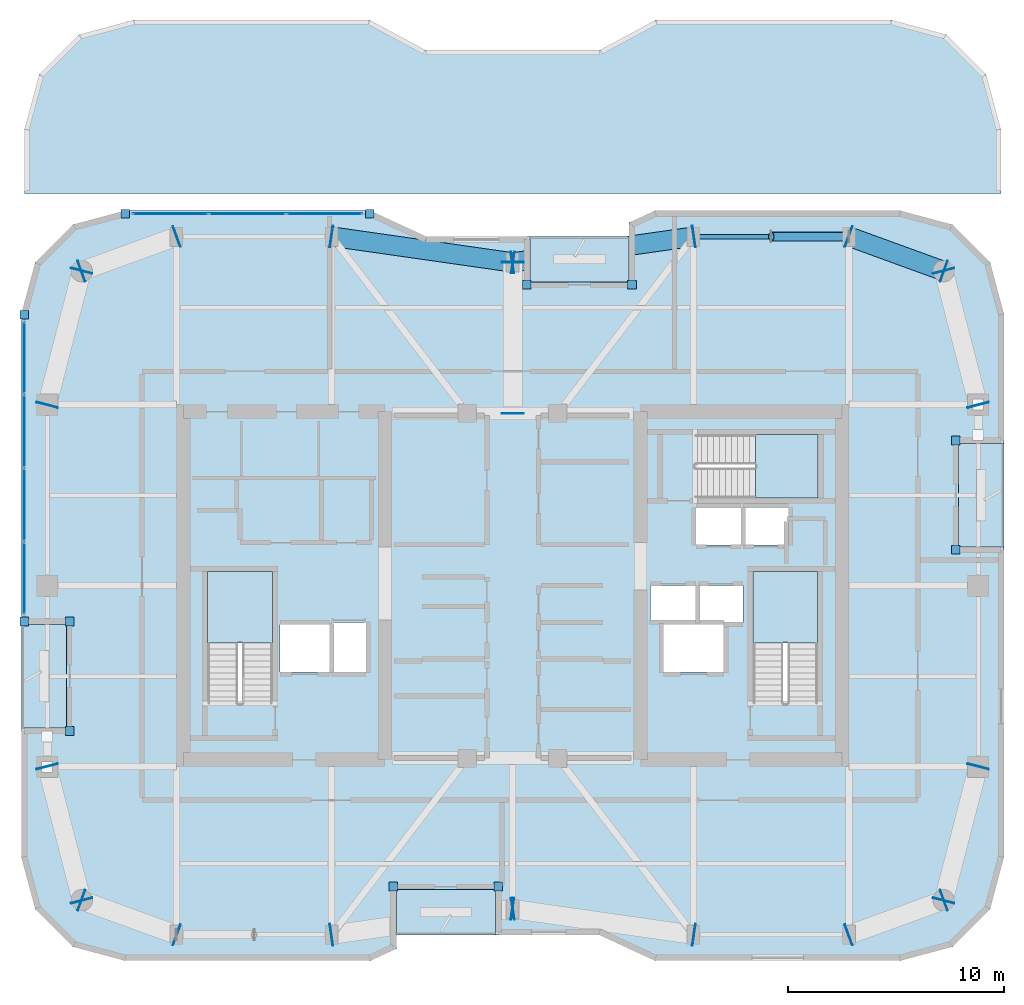
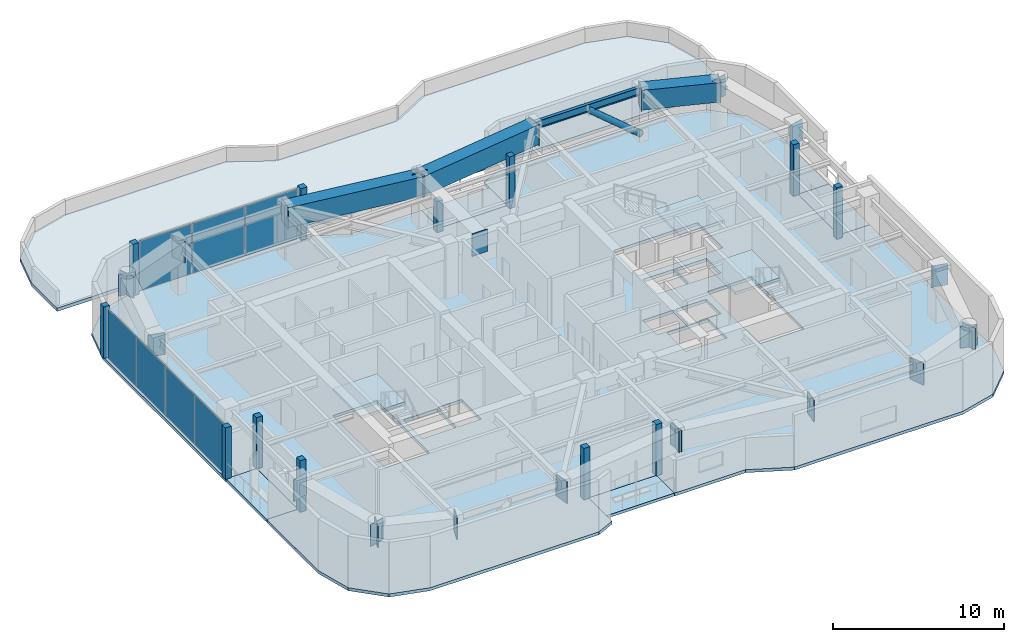
# One storey, part 7 of 16: 45 plates, 9 slabs, 4 beams, 1 member, 5 elements without a shape of their own.
"""IFC4 building model written with IfcOpenShell, lengths in metres."""

from ifc_helpers import new_model, si_unit, direction, frame, origin, origin_2d, place, context, subcontext, project, spatial, polyline, rectangle, hollow_rectangle, hollow_circle, i_section, outline, extrude, material, layer, layer_set, material_profile, profile_set, type_object, element, aggregate, save


model = new_model("IFC4")

# Units and contexts
model_context = context("Model", 3, precision=1e-05, world=origin(), true_north=direction((0.0, 1.0)))
body_context = subcontext(model_context, "Body", "Model", "MODEL_VIEW")
ifc_project = project(units=[si_unit("LENGTHUNIT", "METRE"), si_unit("AREAUNIT", "SQUARE_METRE"), si_unit("VOLUMEUNIT", "CUBIC_METRE"), si_unit("PLANEANGLEUNIT", "RADIAN"), si_unit("MASSUNIT", "GRAM", prefix="KILO")], contexts=[model_context])

# Site, building, storey
site_placement = place(None, origin())
site = spatial("IfcSite", under=ifc_project, at=site_placement, CompositionType="ELEMENT")
building_placement = place(site_placement, origin())
building = spatial("IfcBuilding", under=site, at=building_placement, Name="Kiyonajd Concourse Tower", CompositionType="ELEMENT")
storey_placement = place(building_placement, frame((0.0, 0.0, 255.0)))
storey = spatial("IfcBuildingStorey", under=building, at=storey_placement, Name="L64", CompositionType="ELEMENT", Elevation=255.0)

# Beams
ifc_material_1 = material(Name="Steel ASTM A992 Grade 50", Category="steel")
ifc_material_profile_1 = material_profile(ifc_material_1, i_section(OverallWidth=0.2109375, OverallDepth=0.5390625, WebThickness=0.01171875, FlangeThickness=0.018798828125, at=origin_2d()), Name="W530X109")
ifc_profile_set_1 = profile_set([ifc_material_profile_1], Name="Steel ASTM A992 Grade 50")
beam_type_1 = type_object("IfcBeamType", Name="BM-SPAN-530B", PredefinedType="SPANDREL", material=ifc_profile_set_1)
beam_1_placement = place(storey_placement, frame((63.60009765625, 52.199951171875, 3.410400390625), z_axis=(-1.0, 0.0, 0.0), x_axis=(0.0, -1.0, 0.0)))
element("IfcBeam", 1, at=beam_1_placement, inside=storey, type_object=beam_type_1, Name="L64 Perimeter Bundled Tube Spandrel", PredefinedType="SPANDREL", context=body_context, shape_type="SweptSolid", body=[
    extrude(i_section(OverallWidth=0.2109375, OverallDepth=0.5390625, WebThickness=0.01171875, FlangeThickness=0.018798828125, at=origin_2d()), origin(), (0.0, 0.0, 1.0), 7.2001953125),
])
ifc_material_2 = material(Name="Steel ASTM A572 Grade 50", Category="steel")
ifc_material_profile_2 = material_profile(ifc_material_2, hollow_rectangle(XDim=0.89990234375, YDim=1.39990234375, WallThickness=0.070068359375, at=origin_2d()), Name="BOX-1400x900x70")
ifc_profile_set_2 = profile_set([ifc_material_profile_2], Name="Steel ASTM A572 Grade 50")
beam_type_2 = type_object("IfcBeamType", Name="BM-XFER-1400", PredefinedType="BEAM", material=ifc_profile_set_2)
beam_2_placement = place(storey_placement, frame((68.0, 50.60009765625, 2.97998046875), z_axis=(-0.939801036019, 0.341722127901, 0.0), x_axis=(-0.341722127901, -0.939801036019, 0.0)))
element("IfcBeam", 2, at=beam_2_placement, inside=storey, type_object=beam_type_2, Name="L64 Perimeter Bundled Tube Spandrel", PredefinedType="BEAM", context=body_context, shape_type="SweptSolid", body=[
    extrude(hollow_rectangle(XDim=0.89990234375, YDim=1.39990234375, WallThickness=0.070068359375, at=origin_2d()), origin(), (0.0, 0.0, 1.0), 4.681640625),
])
for number, where, z_axis, x_axis, name in (
    (3, (56.39990234375, 52.199951171875, 2.97998046875), (-0.989950069105, -0.141417328072, 0.0), (0.141417328072, -0.989950069105, 0.0), "L64 Perimeter Bundled Tube Spandrel"),
    (4, (48.0, 51.0, 2.97998046875), (-0.989950069105, 0.141417328072, 0.0), (-0.141417328072, -0.989950069105, 0.0), "L64 Perimeter Bundled Tube Spandrel"),
):
    element("IfcBeam", number, at=place(storey_placement, frame(where, z_axis=z_axis, x_axis=x_axis)), inside=storey, type_object=beam_type_2, Name=name, PredefinedType="BEAM", context=body_context, shape_type="SweptSolid", body=[
        extrude(hollow_rectangle(XDim=0.89990234375, YDim=1.39990234375, WallThickness=0.070068359375, at=origin_2d()), origin(), (0.0, 0.0, 1.0), 8.485107421875),
    ])

# Member
ifc_material_3 = material(Name="Steel ASTM A500 Grade C", Category="steel")
ifc_material_profile_3 = material_profile(ifc_material_3, hollow_circle(Radius=0.202880859375, WallThickness=0.01904296875, at=origin_2d()), Name="CHS-406x19")
ifc_profile_set_3 = profile_set([ifc_material_profile_3], Name="Steel ASTM A500 Grade C")
member_type = type_object("IfcMemberType", Name="MB-PB-HIGH", PredefinedType="BRACE", material=ifc_profile_set_3)
member_placement = place(storey_placement, frame((63.60009765625, 52.199951171875, 0.300048828125), z_axis=(-0.765082043761, 0.0, 0.643932811957), x_axis=(0.0, -1.0, 0.0)))
element("IfcMember", 5, at=member_placement, inside=storey, type_object=member_type, Name="L64 Upper Zone Hollow Tube Brace PBN", PredefinedType="BRACE", context=body_context, shape_type="SweptSolid", body=[
    extrude(hollow_circle(Radius=0.202880859375, WallThickness=0.01904296875, at=origin_2d()), origin(), (0.0, 0.0, 1.0), 4.70556640625),
])

# Plates
ifc_layer_1 = layer(ifc_material_2, 0.031982421875)
ifc_layer_set_1 = layer_set([ifc_layer_1], Name="Steel ASTM A572 Grade 50")
plate_type_1 = type_object("IfcPlateType", Name="PL-CAP-540", PredefinedType="USERDEFINED", material=ifc_layer_set_1)
for number, where, z_axis, x_axis, name in (
    (6, (26.397216796875, 27.610595703125, 2.2099609375), (0.0, 0.0, 1.0), (-0.249873048837, 0.968278606324, 0.0), "L64 Welded Box Girder End Cap"),
    (7, (28.002685546875, 21.389404296875, 2.2099609375), (0.0, 0.0, 1.0), (0.249873048837, -0.968278606324, 0.0), "L64 Welded Box Girder End Cap"),
    (8, (27.98974609375, 21.40380859375, 2.2099609375), (0.0, 0.0, 1.0), (-0.939811951086, 0.341692107891, 0.0), "L64 Welded Box Girder End Cap"),
    (9, (32.410400390625, 19.796142578125, 2.2099609375), (0.0, 0.0, 1.0), (0.939811951086, -0.341692107891, 0.0), "L64 Welded Box Girder End Cap"),
    (10, (39.589111328125, 19.79833984375, 2.2099609375), (0.0, 0.0, 1.0), (-0.989949746297, -0.141419587774, 0.0), "L64 Welded Box Girder End Cap"),
    (11, (48.010986328125, 21.001708984375, 2.2099609375), (0.0, 0.0, 1.0), (0.989949746297, 0.141419587774, 0.0), "L64 Welded Box Girder End Cap"),
    (12, (47.989013671875, 21.001708984375, 2.2099609375), (0.0, 0.0, 1.0), (-0.989949746297, 0.141419587774, 0.0), "L64 Welded Box Girder End Cap"),
    (13, (56.410888671875, 19.79833984375, 2.2099609375), (0.0, 0.0, 1.0), (0.989949746297, -0.141419587774, 0.0), "L64 Welded Box Girder End Cap"),
    (14, (63.589599609375, 19.796142578125, 2.2099609375), (0.0, 0.0, 1.0), (-0.939811951086, -0.341692107891, 0.0), "L64 Welded Box Girder End Cap"),
    (15, (68.01025390625, 21.40380859375, 2.2099609375), (0.0, 0.0, 1.0), (0.939811951086, 0.341692107891, 0.0), "L64 Welded Box Girder End Cap"),
    (16, (67.997314453125, 21.389404296875, 2.2099609375), (0.0, 0.0, 1.0), (-0.249873048837, -0.968278606324, 0.0), "L64 Welded Box Girder End Cap"),
    (17, (69.602783203125, 27.610595703125, 2.2099609375), (0.0, 0.0, 1.0), (0.249873048837, 0.968278606324, 0.0), "L64 Welded Box Girder End Cap"),
    (18, (69.602783203125, 44.389404296875, 2.2099609375), (0.0, 0.0, 1.0), (0.249873048837, -0.968278606324, 0.0), "L64 Welded Box Girder End Cap"),
    (19, (67.997314453125, 50.610595703125, 2.2099609375), (0.0, 0.0, 1.0), (-0.249873048837, 0.968278606324, 0.0), "L64 Welded Box Girder End Cap"),
    (20, (68.01025390625, 50.59619140625, 2.2099609375), (0.0, 0.0, 1.0), (0.939811951086, -0.341692107891, 0.0), "L64 Welded Box Girder End Cap"),
    (21, (63.589599609375, 52.203857421875, 2.2099609375), (0.0, 0.0, 1.0), (-0.939811951086, 0.341692107891, 0.0), "L64 Welded Box Girder End Cap"),
    (22, (56.410888671875, 52.20166015625, 2.2099609375), (0.0, 0.0, 1.0), (0.989949746297, 0.141419587774, 0.0), "L64 Welded Box Girder End Cap"),
    (23, (47.989013671875, 50.998291015625, 2.2099609375), (0.0, 0.0, 1.0), (-0.989949746297, -0.141419587774, 0.0), "L64 Welded Box Girder End Cap"),
    (24, (48.010986328125, 50.998291015625, 2.2099609375), (0.0, 0.0, 1.0), (0.989949746297, -0.141419587774, 0.0), "L64 Welded Box Girder End Cap"),
    (25, (39.589111328125, 52.20166015625, 2.2099609375), (0.0, 0.0, 1.0), (-0.989949746297, 0.141419587774, 0.0), "L64 Welded Box Girder End Cap"),
    (26, (32.410400390625, 52.203857421875, 2.2099609375), (0.0, 0.0, 1.0), (0.939811951086, 0.341692107891, 0.0), "L64 Welded Box Girder End Cap"),
    (27, (27.98974609375, 50.59619140625, 2.2099609375), (0.0, 0.0, 1.0), (-0.939811951086, -0.341692107891, 0.0), "L64 Welded Box Girder End Cap"),
    (28, (28.002685546875, 50.610595703125, 2.2099609375), (0.0, 0.0, 1.0), (0.249873048837, 0.968278606324, 0.0), "L64 Welded Box Girder End Cap"),
    (29, (26.397216796875, 44.389404296875, 2.2099609375), (0.0, 0.0, 1.0), (-0.249873048837, -0.968278606324, 0.0), "L64 Welded Box Girder End Cap"),
):
    element("IfcPlate", number, at=place(storey_placement, frame(where, z_axis=z_axis, x_axis=x_axis)), inside=storey, type_object=plate_type_1, Name=name, ObjectType="CAP PLATE", PredefinedType="USERDEFINED", context=body_context, shape_type="SweptSolid", body=[
        extrude(rectangle(XDim=0.035888671875, YDim=1.02001953125, at=origin_2d()), origin(), (0.0, 0.0, 1.0), 1.5400390625),
    ])
for number, where, z_axis, x_axis, name in (
    (30, (48.0, 43.989013671875, 2.16015625), (0.0, 0.0, 1.0), (0.0, -1.0, 0.0), "L64 Welded Box Girder End Cap"),
    (31, (48.0, 51.010986328125, 2.16015625), (0.0, 0.0, 1.0), (0.0, 1.0, 0.0), "L64 Welded Box Girder End Cap"),
):
    element("IfcPlate", number, at=place(storey_placement, frame(where, z_axis=z_axis, x_axis=x_axis)), inside=storey, type_object=plate_type_1, Name=name, ObjectType="CAP PLATE", PredefinedType="USERDEFINED", context=body_context, shape_type="SweptSolid", body=[
        extrude(rectangle(XDim=0.035888671875, YDim=1.02001953125, at=origin_2d()), origin(), (0.0, 0.0, 1.0), 1.590087890625),
    ])

# Curtain wall, plates
ifc_material_4 = material(Name="Thermally Broken Anodised Aluminium", Category="aluminium")
ifc_layer_2 = layer(ifc_material_4, 0.179931640625)
ifc_layer_set_2 = layer_set([ifc_layer_2], Name="Thermally Broken Anodised Aluminium")
curtain_wall_type = type_object("IfcCurtainWallType", Name="CW-SYS-04", PredefinedType="NOTDEFINED", material=ifc_layer_set_2)
curtain_wall_1_placement = place(storey_placement, origin())
curtain_wall_1 = element("IfcCurtainWall", 32, at=curtain_wall_1_placement, inside=storey, type_object=curtain_wall_type, Name="L64 Unitised Curtain Wall CW4", PredefinedType="NOTDEFINED")
ifc_material_5 = material(Name="Double Low-E Insulated Glass", Category="glass")
ifc_layer_3 = layer(ifc_material_5, 0.033935546875)
ifc_layer_set_3 = layer_set([ifc_layer_3], Name="Double Low-E Insulated Glass")
plate_type_2 = type_object("IfcPlateType", Name="PL-CW-VIS34", PredefinedType="CURTAIN_PANEL", material=ifc_layer_set_3)
plate_1_placement = place(storey_placement, frame((25.340087890625, 36.35400390625, 0.06494140625), z_axis=(0.0, 0.0, 1.0), x_axis=(0.0, 1.0, 0.0)))
plate_1 = element("IfcPlate", 33, at=plate_1_placement, type_object=plate_type_2, Name="CW4 panel 1.1", PredefinedType="CURTAIN_PANEL", context=body_context, shape_type="SweptSolid", body=[
    extrude(rectangle(XDim=3.31787109375, YDim=0.033935546875, at=origin_2d()), origin(), (0.0, 0.0, 1.0), 3.550048828125),
])
plate_2_placement = place(storey_placement, frame((25.340087890625, 39.753173828125, 0.06494140625), z_axis=(0.0, 0.0, 1.0), x_axis=(0.0, 1.0, 0.0)))
plate_2 = element("IfcPlate", 34, at=plate_2_placement, type_object=plate_type_2, Name="CW4 panel 2.1", PredefinedType="CURTAIN_PANEL", context=body_context, shape_type="SweptSolid", body=[
    extrude(rectangle(XDim=3.350341796875, YDim=0.033935546875, at=origin_2d()), origin(), (0.0, 0.0, 1.0), 3.550048828125),
])
plate_3_placement = place(storey_placement, frame((25.340087890625, 43.16845703125, 0.06494140625), z_axis=(0.0, 0.0, 1.0), x_axis=(0.0, 1.0, 0.0)))
plate_3 = element("IfcPlate", 35, at=plate_3_placement, type_object=plate_type_2, Name="CW4 panel 3.1", PredefinedType="CURTAIN_PANEL", context=body_context, shape_type="SweptSolid", body=[
    extrude(rectangle(XDim=3.350341796875, YDim=0.033935546875, at=origin_2d()), origin(), (0.0, 0.0, 1.0), 3.550048828125),
])
plate_4_placement = place(storey_placement, frame((25.340087890625, 46.567626953125, 0.06494140625), z_axis=(0.0, 0.0, 1.0), x_axis=(0.0, 1.0, 0.0)))
plate_4 = element("IfcPlate", 36, at=plate_4_placement, type_object=plate_type_2, Name="CW4 panel 4.1", PredefinedType="CURTAIN_PANEL", context=body_context, shape_type="SweptSolid", body=[
    extrude(rectangle(XDim=3.31787109375, YDim=0.033935546875, at=origin_2d()), origin(), (0.0, 0.0, 1.0), 3.550048828125),
])
aggregate(curtain_wall_1, [plate_1, plate_2, plate_3, plate_4])

curtain_wall_2_placement = place(storey_placement, origin())
curtain_wall_2 = element("IfcCurtainWall", 37, at=curtain_wall_2_placement, inside=storey, type_object=curtain_wall_type, Name="L64 Unitised Curtain Wall CW4", PredefinedType="NOTDEFINED")
plate_5_placement = place(storey_placement, frame((32.119873046875, 53.260009765625, 0.06494140625), z_axis=(0.0, 0.0, 1.0), x_axis=(1.0, 0.0, 0.0)))
plate_5 = element("IfcPlate", 38, at=plate_5_placement, type_object=plate_type_2, Name="CW4 panel 1.1", PredefinedType="CURTAIN_PANEL", context=body_context, shape_type="SweptSolid", body=[
    extrude(rectangle(XDim=3.492919921875, YDim=0.033935546875, at=origin_2d()), origin(), (0.0, 0.0, 1.0), 3.550048828125),
])
plate_6_placement = place(storey_placement, frame((35.69384765625, 53.260009765625, 0.06494140625), z_axis=(0.0, 0.0, 1.0), x_axis=(1.0, 0.0, 0.0)))
plate_6 = element("IfcPlate", 39, at=plate_6_placement, type_object=plate_type_2, Name="CW4 panel 2.1", PredefinedType="CURTAIN_PANEL", context=body_context, shape_type="SweptSolid", body=[
    extrude(rectangle(XDim=3.525390625, YDim=0.033935546875, at=origin_2d()), origin(), (0.0, 0.0, 1.0), 3.550048828125),
])
plate_7_placement = place(storey_placement, frame((39.267822265625, 53.260009765625, 0.06494140625), z_axis=(0.0, 0.0, 1.0), x_axis=(1.0, 0.0, 0.0)))
plate_7 = element("IfcPlate", 40, at=plate_7_placement, type_object=plate_type_2, Name="CW4 panel 3.1", PredefinedType="CURTAIN_PANEL", context=body_context, shape_type="SweptSolid", body=[
    extrude(rectangle(XDim=3.492919921875, YDim=0.033935546875, at=origin_2d()), origin(), (0.0, 0.0, 1.0), 3.550048828125),
])
aggregate(curtain_wall_2, [plate_5, plate_6, plate_7])

# Plates
ifc_layer_4 = layer(ifc_material_4, 0.39990234375)
ifc_layer_set_4 = layer_set([ifc_layer_4], Name="Thermally Broken Anodised Aluminium")
plate_type_3 = type_object("IfcPlateType", Name="PL-JMB-400", PredefinedType="USERDEFINED", material=ifc_layer_set_4)
for number, where, z_axis, x_axis, name in (
    (41, (27.43994140625, 29.260009765625, 0.0), (0.0, 0.0, 1.0), (1.0, 0.0, 0.0), "L64 Facade Jamb Closure Plate 01"),
    (42, (27.43994140625, 34.340087890625, 0.0), (0.0, 0.0, 1.0), (1.0, 0.0, 0.0), "L64 Facade Jamb Closure Plate 02"),
    (43, (25.340087890625, 34.340087890625, 0.0), (0.0, 0.0, 1.0), (1.0, 0.0, 0.0), "L64 Facade Jamb Closure Plate 03"),
    (44, (25.340087890625, 48.58154296875, 0.0), (0.0, 0.0, 1.0), (1.0, 0.0, 0.0), "L64 Facade Jamb Closure Plate 04"),
    (45, (30.018310546875, 53.260009765625, 0.0), (0.0, 0.0, 1.0), (1.0, 0.0, 0.0), "L64 Facade Jamb Closure Plate 05"),
    (46, (41.369384765625, 53.260009765625, 0.0), (0.0, 0.0, 1.0), (1.0, 0.0, 0.0), "L64 Facade Jamb Closure Plate 06"),
):
    element("IfcPlate", number, at=place(storey_placement, frame(where, z_axis=z_axis, x_axis=x_axis)), inside=storey, type_object=plate_type_3, Name=name, ObjectType="JAMB PLATE", PredefinedType="USERDEFINED", context=body_context, shape_type="SweptSolid", body=[
        extrude(rectangle(XDim=0.39990234375, YDim=0.39990234375, at=origin_2d()), origin(), (0.0, 0.0, 1.0), 3.679931640625),
    ])
plate_8_placement = place(storey_placement, frame((48.659912109375, 49.9599609375, 0.0), z_axis=(0.0, 0.0, 1.0), x_axis=(1.0, 0.0, 0.0)))
element("IfcPlate", 47, at=plate_8_placement, inside=storey, type_object=plate_type_3, Name="L64 Facade Jamb Closure Plate 07", ObjectType="JAMB PLATE", PredefinedType="USERDEFINED", context=body_context, shape_type="SweptSolid", body=[
    extrude(rectangle(XDim=0.39990234375, YDim=0.39990234375, at=origin_2d()), origin(), (0.0, 0.0, 1.0), 2.215087890625),
])
for number, where, z_axis, x_axis, name in (
    (48, (53.5400390625, 49.9599609375, 0.0), (0.0, 0.0, 1.0), (1.0, 0.0, 0.0), "L64 Facade Jamb Closure Plate 08"),
    (49, (68.56005859375, 42.739990234375, 0.0), (0.0, 0.0, 1.0), (1.0, 0.0, 0.0), "L64 Facade Jamb Closure Plate 09"),
    (50, (68.56005859375, 37.659912109375, 0.0), (0.0, 0.0, 1.0), (1.0, 0.0, 0.0), "L64 Facade Jamb Closure Plate 10"),
    (51, (47.340087890625, 22.0400390625, 0.0), (0.0, 0.0, 1.0), (1.0, 0.0, 0.0), "L64 Facade Jamb Closure Plate 11"),
    (52, (42.4599609375, 22.0400390625, 0.0), (0.0, 0.0, 1.0), (1.0, 0.0, 0.0), "L64 Facade Jamb Closure Plate 12"),
):
    element("IfcPlate", number, at=place(storey_placement, frame(where, z_axis=z_axis, x_axis=x_axis)), inside=storey, type_object=plate_type_3, Name=name, ObjectType="JAMB PLATE", PredefinedType="USERDEFINED", context=body_context, shape_type="SweptSolid", body=[
        extrude(rectangle(XDim=0.39990234375, YDim=0.39990234375, at=origin_2d()), origin(), (0.0, 0.0, 1.0), 3.679931640625),
    ])

# Stair, slab
ifc_material_6 = material(Name="Concrete C40/50", Category="concrete")
stair_type = type_object("IfcStairType", Name="ST-DLG-22R", PredefinedType="HALF_TURN_STAIR", material=ifc_material_6)
stair_1_placement = place(storey_placement, origin())
stair_1 = element("IfcStair", 53, at=stair_1_placement, inside=storey, type_object=stair_type, Name="L64 Protected Exit Stair ST1", PredefinedType="HALF_TURN_STAIR")
ifc_layer_5 = layer(ifc_material_6, 0.199951171875)
ifc_layer_set_5 = layer_set([ifc_layer_5], Name="Concrete C40/50")
slab_type_1 = type_object("IfcSlabType", Name="SL-LND-200", PredefinedType="LANDING", material=ifc_layer_set_5)
slab_1_placement = place(storey_placement, frame((0.0, 0.0, 1.75)))
slab_1 = element("IfcSlab", 54, at=slab_1_placement, type_object=slab_type_1, Name="ST1 landing 1", PredefinedType="LANDING", context=body_context, shape_type="SweptSolid", body=[
    extrude(outline(polyline([(36.85009765625, 33.35009765625), (36.85009765625, 36.64990234375), (33.85009765625, 36.64990234375), (33.85009765625, 33.35009765625), (36.85009765625, 33.35009765625)])), origin(), (0.0, 0.0, 1.0), 0.199951171875),
])
aggregate(stair_1, [slab_1])

stair_2_placement = place(storey_placement, origin())
stair_2 = element("IfcStair", 55, at=stair_2_placement, inside=storey, type_object=stair_type, Name="L64 Protected Exit Stair ST2", PredefinedType="HALF_TURN_STAIR")
slab_2_placement = place(storey_placement, frame((0.0, 0.0, 1.75)))
slab_2 = element("IfcSlab", 56, at=slab_2_placement, type_object=slab_type_1, Name="ST2 landing 1", PredefinedType="LANDING", context=body_context, shape_type="SweptSolid", body=[
    extrude(outline(polyline([(62.14990234375, 33.35009765625), (62.14990234375, 36.64990234375), (59.14990234375, 36.64990234375), (59.14990234375, 33.35009765625), (62.14990234375, 33.35009765625)])), origin(), (0.0, 0.0, 1.0), 0.199951171875),
])
aggregate(stair_2, [slab_2])

stair_3_placement = place(storey_placement, origin())
stair_3 = element("IfcStair", 57, at=stair_3_placement, inside=storey, type_object=stair_type, Name="L64 Protected Exit Stair ST3", PredefinedType="HALF_TURN_STAIR")
slab_3_placement = place(storey_placement, frame((0.0, 0.0, 1.75)))
slab_3 = element("IfcSlab", 58, at=slab_3_placement, type_object=slab_type_1, Name="ST3 landing 1", PredefinedType="LANDING", context=body_context, shape_type="SweptSolid", body=[
    extrude(outline(polyline([(59.280029296875, 40.080078125), (62.179931640625, 40.080078125), (62.179931640625, 43.02001953125), (59.280029296875, 43.02001953125), (59.280029296875, 40.080078125)])), origin(), (0.0, 0.0, 1.0), 0.199951171875),
])
aggregate(stair_3, [slab_3])

# Slabs
ifc_material_7 = material(Name="Precast concrete C50/60", Category="concrete")
ifc_layer_6 = layer(ifc_material_7, 0.199951171875)
ifc_layer_set_6 = layer_set([ifc_layer_6], Name="Precast concrete C50/60")
slab_type_2 = type_object("IfcSlabType", Name="SL-LOG-200", PredefinedType="FLOOR", material=ifc_layer_set_6)
slab_4_placement = place(storey_placement, frame((0.0, 0.0, -0.199951171875)))
element("IfcSlab", 59, at=slab_4_placement, inside=storey, type_object=slab_type_2, Name="L64 Recessed Engawa Loggia Terrace Slab LOG-S", PredefinedType="FLOOR", context=body_context, shape_type="SweptSolid", body=[
    extrude(outline(polyline([(42.60009765625, 19.800048828125), (47.199951171875, 19.800048828125), (47.199951171875, 21.89990234375), (42.60009765625, 21.89990234375), (42.60009765625, 19.800048828125)])), origin(), (0.0, 0.0, 1.0), 0.199951171875),
])
slab_5_placement = place(storey_placement, frame((0.0, 0.0, -0.199951171875)))
element("IfcSlab", 60, at=slab_5_placement, inside=storey, type_object=slab_type_2, Name="L64 Recessed Engawa Loggia Terrace Slab LOG-N", PredefinedType="FLOOR", context=body_context, shape_type="SweptSolid", body=[
    extrude(outline(polyline([(48.800048828125, 50.10009765625), (53.39990234375, 50.10009765625), (53.39990234375, 52.199951171875), (48.800048828125, 52.199951171875), (48.800048828125, 50.10009765625)])), origin(), (0.0, 0.0, 1.0), 0.199951171875),
])
slab_6_placement = place(storey_placement, frame((0.0, 0.0, -0.199951171875)))
element("IfcSlab", 61, at=slab_6_placement, inside=storey, type_object=slab_type_2, Name="L64 Recessed Engawa Loggia Terrace Slab LOG-W", PredefinedType="FLOOR", context=body_context, shape_type="SweptSolid", body=[
    extrude(outline(polyline([(25.199951171875, 29.39990234375), (27.300048828125, 29.39990234375), (27.300048828125, 34.199951171875), (25.199951171875, 34.199951171875), (25.199951171875, 29.39990234375)])), origin(), (0.0, 0.0, 1.0), 0.199951171875),
])
slab_7_placement = place(storey_placement, frame((0.0, 0.0, -0.199951171875)))
element("IfcSlab", 62, at=slab_7_placement, inside=storey, type_object=slab_type_2, Name="L64 Recessed Engawa Loggia Terrace Slab LOG-E", PredefinedType="FLOOR", context=body_context, shape_type="SweptSolid", body=[
    extrude(outline(polyline([(68.699951171875, 37.800048828125), (70.800048828125, 37.800048828125), (70.800048828125, 42.60009765625), (68.699951171875, 42.60009765625), (68.699951171875, 37.800048828125)])), origin(), (0.0, 0.0, 1.0), 0.199951171875),
])
ifc_layer_7 = layer(ifc_material_6, 0.239990234375)
ifc_layer_set_7 = layer_set([ifc_layer_7], Name="Concrete C40/50")
slab_type_3 = type_object("IfcSlabType", Name="SL-TERR-240", PredefinedType="ROOF", material=ifc_layer_set_7)
slab_8_placement = place(storey_placement, frame((0.0, 0.0, -0.239990234375)))
element("IfcSlab", 63, at=slab_8_placement, inside=storey, type_object=slab_type_3, Name="L64 Setback Maintenance Roof Slab 1", PredefinedType="ROOF", context=body_context, shape_type="SweptSolid", body=[
    extrude(outline(polyline([(26.031005859375, 59.721923828125), (27.8779296875, 61.569091796875), (30.419921875, 62.25), (41.362060546875, 62.25), (43.928955078125, 60.867919921875), (44.0, 60.85009765625), (52.014892578125, 60.85107421875), (52.071044921875, 60.867919921875), (54.637939453125, 62.25), (65.580078125, 62.25), (68.1220703125, 61.569091796875), (69.968994140625, 59.721923828125), (70.64990234375, 57.179931640625), (70.64990234375, 54.199951171875), (25.35009765625, 54.199951171875), (25.35009765625, 57.179931640625), (26.031005859375, 59.721923828125)])), origin(), (0.0, 0.0, 1.0), 0.239990234375),
])
ifc_layer_8 = layer(ifc_material_6, 0.219970703125)
ifc_layer_set_8 = layer_set([ifc_layer_8], Name="Concrete C40/50")
slab_type_4 = type_object("IfcSlabType", Name="SL-TWR-220", PredefinedType="FLOOR", material=ifc_layer_set_8)
slab_9_placement = place(storey_placement, frame((0.0, 0.0, -0.219970703125)))
element("IfcSlab", 64, at=slab_9_placement, inside=storey, type_object=slab_type_4, Name="L64 Tower Conditioned Floor Slab", PredefinedType="FLOOR", context=body_context, shape_type="SweptSolid", body=[
    extrude(outline(polyline([(25.843017578125, 21.0), (25.199951171875, 23.39990234375), (25.199951171875, 29.39990234375), (27.300048828125, 29.39990234375), (27.300048828125, 34.199951171875), (25.199951171875, 34.199951171875), (25.199951171875, 48.60009765625), (25.843017578125, 51.0), (27.60009765625, 52.757080078125), (30.0, 53.39990234375), (41.39990234375, 53.39990234375), (44.0, 52.199951171875), (48.800048828125, 52.199951171875), (48.800048828125, 50.10009765625), (53.39990234375, 50.10009765625), (53.39990234375, 52.845947265625), (54.60009765625, 53.39990234375), (66.0, 53.39990234375), (68.39990234375, 52.757080078125), (70.156982421875, 51.0), (70.800048828125, 48.60009765625), (70.800048828125, 42.60009765625), (68.699951171875, 42.60009765625), (68.699951171875, 37.800048828125), (70.800048828125, 37.800048828125), (70.800048828125, 23.39990234375), (70.156982421875, 21.0), (68.39990234375, 19.242919921875), (66.0, 18.60009765625), (54.60009765625, 18.60009765625), (52.0, 19.800048828125), (47.199951171875, 19.800048828125), (47.199951171875, 21.89990234375), (42.60009765625, 21.89990234375), (42.60009765625, 19.154052734375), (41.39990234375, 18.60009765625), (30.0, 18.60009765625), (27.60009765625, 19.242919921875), (25.843017578125, 21.0)]), holes=[polyline([(39.5, 32.0), (37.199951171875, 32.0), (37.199951171875, 34.199951171875), (39.5, 34.199951171875), (39.5, 32.0)]), polyline([(57.800048828125, 32.0), (55.0, 32.0), (55.0, 34.199951171875), (57.800048828125, 34.199951171875), (57.800048828125, 32.0)]), polyline([(41.199951171875, 32.0), (39.60009765625, 32.0), (39.60009765625, 34.300048828125), (41.199951171875, 34.300048828125), (41.199951171875, 32.0)]), polyline([(33.85009765625, 30.550048828125), (33.85009765625, 36.64990234375), (36.85009765625, 36.64990234375), (36.85009765625, 30.550048828125), (33.85009765625, 30.550048828125)]), polyline([(59.14990234375, 30.550048828125), (59.14990234375, 36.64990234375), (62.14990234375, 36.64990234375), (62.14990234375, 30.550048828125), (59.14990234375, 30.550048828125)]), polyline([(56.5, 34.300048828125), (54.39990234375, 34.300048828125), (54.39990234375, 36.0), (56.5, 36.0), (56.5, 34.300048828125)]), polyline([(58.699951171875, 34.300048828125), (56.60009765625, 34.300048828125), (56.60009765625, 36.0), (58.699951171875, 36.0), (58.699951171875, 34.300048828125)]), polyline([(58.60009765625, 37.89990234375), (56.5, 37.89990234375), (56.5, 39.60009765625), (58.60009765625, 39.60009765625), (58.60009765625, 37.89990234375)]), polyline([(58.699951171875, 37.89990234375), (58.699951171875, 39.60009765625), (60.800048828125, 39.60009765625), (60.800048828125, 37.89990234375), (58.699951171875, 37.89990234375)]), polyline([(56.47998046875, 43.02001953125), (62.179931640625, 43.02001953125), (62.179931640625, 40.080078125), (56.47998046875, 40.080078125), (56.47998046875, 43.02001953125)])]), origin(), (0.0, 0.0, 1.0), 0.219970703125),
])

save(model, "model.ifc")
